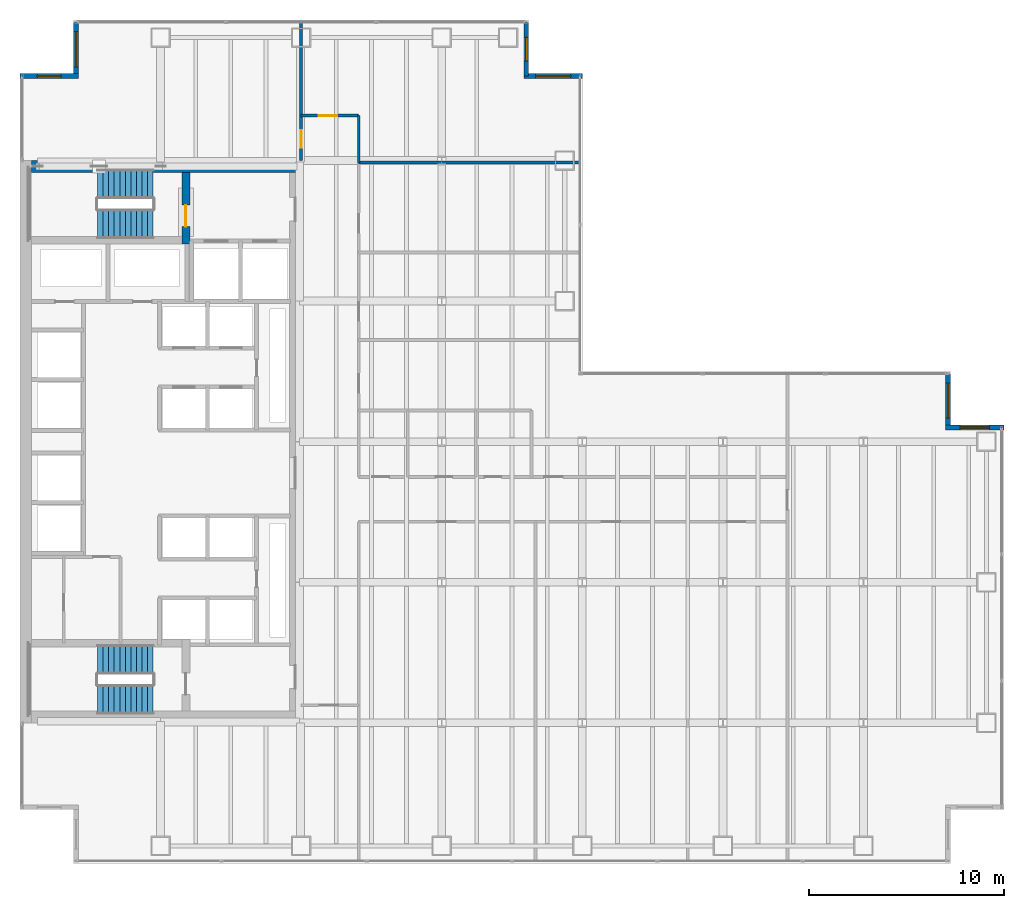
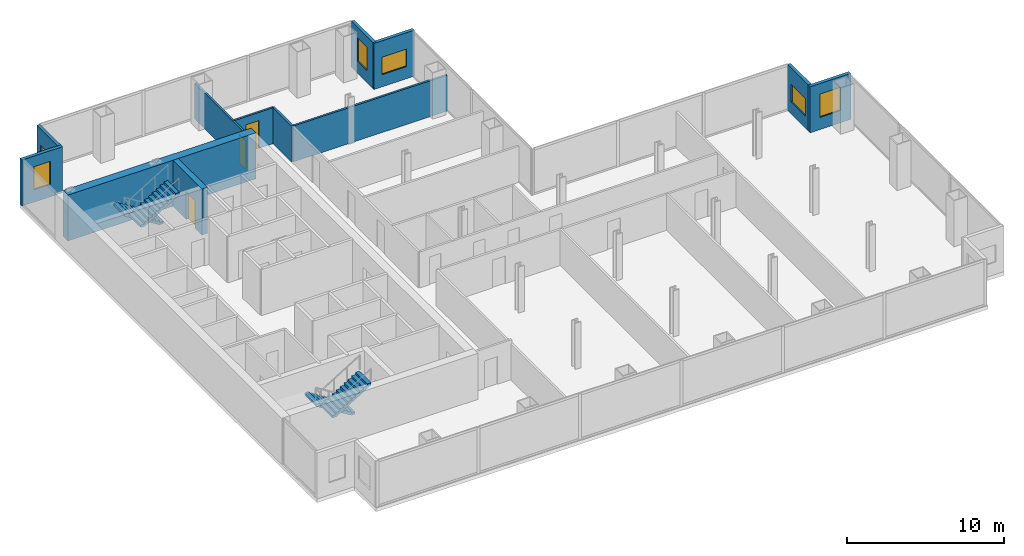
# One storey, part 22 of 23: 12 walls, 6 windows, 4 stair flights, 3 doors, 9 openings, 2 elements without a shape of their own.
"""IFC4 building model written with IfcOpenShell, lengths in metres."""

from ifc_helpers import new_model, si_unit, direction, frame, frame_2d, origin, place, context, subcontext, project, spatial, polyline, rectangle, outline, extrude, material, layer, layer_set, type_object, element, fill, aggregate, save


model = new_model("IFC4")

# Units and contexts
model_context = context("Model", 3, precision=1e-05, world=origin(), true_north=direction((0.0, 1.0)))
body_context = subcontext(model_context, "Body", "Model", "MODEL_VIEW")
ifc_project = project(units=[si_unit("LENGTHUNIT", "METRE"), si_unit("AREAUNIT", "SQUARE_METRE"), si_unit("VOLUMEUNIT", "CUBIC_METRE"), si_unit("PLANEANGLEUNIT", "RADIAN"), si_unit("MASSUNIT", "GRAM", prefix="KILO")], contexts=[model_context])

# Site, building, storey
site_placement = place(None, origin())
site = spatial("IfcSite", under=ifc_project, at=site_placement, CompositionType="ELEMENT")
building_placement = place(site_placement, origin())
building = spatial("IfcBuilding", under=site, at=building_placement, Name="Cobrela Telecom Tower", CompositionType="ELEMENT")
storey_placement = place(building_placement, frame((0.0, 0.0, 73.5)))
storey = spatial("IfcBuildingStorey", under=building, at=storey_placement, Name="L18", CompositionType="ELEMENT", Elevation=73.5)

# Wall
ifc_material_1 = material(Name="Concrete C50/60", Category="concrete")
ifc_layer_1 = layer(ifc_material_1, 0.60009765625)
ifc_layer_set_1 = layer_set([ifc_layer_1], Name="Concrete C50/60")
wall_type_1 = type_object("IfcWallType", Name="WALL-CORE-C50-600", PredefinedType="SHEAR", material=ifc_layer_set_1)
wall_1_placement = place(storey_placement, frame((0.60009765625, 35.699951171875, 0.0), z_axis=(0.0, 0.0, 1.0), x_axis=(1.0, 0.0, 0.0)))
element("IfcWall", 1, at=wall_1_placement, inside=storey, type_object=wall_type_1, Name="L18 North Core Shear Wall", PredefinedType="SHEAR", context=body_context, shape_type="SweptSolid", body=[
    extrude(rectangle(XDim=13.7998046875, YDim=0.60009765625, at=frame_2d((6.89990234375, 0.0))), origin(), (0.0, 0.0, 1.0), 3.570068359375),
])

# Wall, opening, window
ifc_material_2 = material(Name="Concrete C40/50", Category="concrete")
ifc_layer_2 = layer(ifc_material_2, 0.239990234375)
ifc_layer_set_2 = layer_set([ifc_layer_2], Name="Concrete C40/50")
wall_type_2 = type_object("IfcWallType", Name="WALL-EXT-300", PredefinedType="STANDARD", material=ifc_layer_set_2)
wall_2_placement = place(storey_placement, frame((0.0, 40.330078125, 0.0), z_axis=(0.0, 0.0, 1.0), x_axis=(1.0, 0.0, 0.0)))
wall_2 = element("IfcWall", 2, at=wall_2_placement, inside=storey, type_object=wall_type_2, Name="L18 Insulated Facade Wall 05", PredefinedType="STANDARD", context=body_context, shape_type="SweptSolid", body=[
    extrude(rectangle(XDim=2.989990234375, YDim=0.239990234375, at=frame_2d((1.4951171875, 0.0))), origin(), (0.0, 0.0, 1.0), 3.570068359375),
])
opening_1_placement = place(wall_2_placement, frame((0.89501953125, 0.0, 0.949951171875)))
opening_1 = element("IfcOpeningElement", 3, at=opening_1_placement, cuts=wall_2, Name="Opening WN-19", PredefinedType="OPENING", context=body_context, shape_type="SweptSolid", body=[
    extrude(rectangle(XDim=1.199951171875, YDim=1.800048828125, at=frame_2d((0.60009765625, 0.89990234375))), frame((0.0, 0.1318359375, 0.0), z_axis=(0.0, -1.0, 0.0), x_axis=(1.0, 0.0, 0.0)), (0.0, 0.0, 1.0), 0.263916015625),
])
ifc_material_3 = material(Name="Solar-Control Bronze Low-E Glass", Category="glass")
window_type_1 = type_object("IfcWindowType", Name="WIN-MOD-1200", PartitioningType="SINGLE_PANEL", PredefinedType="WINDOW", material=ifc_material_3)
window_1_placement = place(opening_1_placement, origin())
window_1 = element("IfcWindow", 4, at=window_1_placement, inside=storey, type_object=window_type_1, Name="L18 Corner Notch Facade Window 082", OverallHeight=1.800048828125, OverallWidth=1.199951171875, PartitioningType="SINGLE_PANEL", PredefinedType="WINDOW", context=body_context, shape_type="SweptSolid", body=[
    extrude(rectangle(XDim=1.199951171875, YDim=1.800048828125, at=frame_2d((0.60009765625, 0.89990234375))), frame((0.0, 0.030029296875, 0.0), z_axis=(0.0, -1.0, 0.0), x_axis=(1.0, 0.0, 0.0)), (0.0, 0.0, 1.0), 0.06005859375),
])
fill(opening_1, window_1)

wall_3_placement = place(storey_placement, frame((2.8701171875, 40.330078125, 0.0), z_axis=(0.0, 0.0, 1.0), x_axis=(0.0, 1.0, 0.0)))
wall_3 = element("IfcWall", 5, at=wall_3_placement, inside=storey, type_object=wall_type_2, Name="L18 Insulated Facade Wall 06", PredefinedType="STANDARD", context=body_context, shape_type="SweptSolid", body=[
    extrude(rectangle(XDim=2.75, YDim=0.239990234375, at=frame_2d((1.375, 0.0))), origin(), (0.0, 0.0, 1.0), 3.570068359375),
])
opening_2_placement = place(wall_3_placement, frame((0.47509765625, 0.0, 0.949951171875)))
opening_2 = element("IfcOpeningElement", 6, at=opening_2_placement, cuts=wall_3, Name="Opening WN-27", PredefinedType="OPENING", context=body_context, shape_type="SweptSolid", body=[
    extrude(rectangle(XDim=1.800048828125, YDim=1.35009765625, at=frame_2d((0.89990234375, 0.675048828125))), frame((0.0, 0.1318359375, 0.0), z_axis=(0.0, -1.0, 0.0), x_axis=(1.0, 0.0, 0.0)), (0.0, 0.0, 1.0), 0.263916015625),
])
window_type_2 = type_object("IfcWindowType", Name="WIN-CLER-1800", PartitioningType="SINGLE_PANEL", PredefinedType="WINDOW", material=ifc_material_3)
window_2_placement = place(opening_2_placement, origin())
window_2 = element("IfcWindow", 7, at=window_2_placement, inside=storey, type_object=window_type_2, Name="L18 Corner Notch Facade Window 083", OverallHeight=1.35009765625, OverallWidth=1.800048828125, PartitioningType="SINGLE_PANEL", PredefinedType="WINDOW", context=body_context, shape_type="SweptSolid", body=[
    extrude(rectangle(XDim=1.800048828125, YDim=1.35009765625, at=frame_2d((0.89990234375, 0.675048828125))), frame((0.0, 0.030029296875, 0.0), z_axis=(0.0, -1.0, 0.0), x_axis=(1.0, 0.0, 0.0)), (0.0, 0.0, 1.0), 0.06005859375),
])
fill(opening_2, window_2)

wall_4_placement = place(storey_placement, frame((25.929931640625, 43.080078125, 0.0), z_axis=(0.0, 0.0, 1.0), x_axis=(0.0, -1.0, 0.0)))
wall_4 = element("IfcWall", 8, at=wall_4_placement, inside=storey, type_object=wall_type_2, Name="L18 Insulated Facade Wall 08", PredefinedType="STANDARD", context=body_context, shape_type="SweptSolid", body=[
    extrude(rectangle(XDim=2.75, YDim=0.239990234375, at=frame_2d((1.375, 0.0))), origin(), (0.0, 0.0, 1.0), 3.570068359375),
])
opening_3_placement = place(wall_4_placement, frame((0.77490234375, 0.0, 0.949951171875)))
opening_3 = element("IfcOpeningElement", 9, at=opening_3_placement, cuts=wall_4, Name="Opening WN-19", PredefinedType="OPENING", context=body_context, shape_type="SweptSolid", body=[
    extrude(rectangle(XDim=1.199951171875, YDim=1.800048828125, at=frame_2d((0.60009765625, 0.89990234375))), frame((0.0, 0.1318359375, 0.0), z_axis=(0.0, -1.0, 0.0), x_axis=(1.0, 0.0, 0.0)), (0.0, 0.0, 1.0), 0.263916015625),
])
window_3_placement = place(opening_3_placement, origin())
window_3 = element("IfcWindow", 10, at=window_3_placement, inside=storey, type_object=window_type_1, Name="L18 Corner Notch Facade Window 084", OverallHeight=1.800048828125, OverallWidth=1.199951171875, PartitioningType="SINGLE_PANEL", PredefinedType="WINDOW", context=body_context, shape_type="SweptSolid", body=[
    extrude(rectangle(XDim=1.199951171875, YDim=1.800048828125, at=frame_2d((0.60009765625, 0.89990234375))), frame((0.0, 0.030029296875, 0.0), z_axis=(0.0, -1.0, 0.0), x_axis=(1.0, 0.0, 0.0)), (0.0, 0.0, 1.0), 0.06005859375),
])
fill(opening_3, window_3)

wall_5_placement = place(storey_placement, frame((25.81005859375, 40.330078125, 0.0), z_axis=(0.0, 0.0, 1.0), x_axis=(1.0, 0.0, 0.0)))
wall_5 = element("IfcWall", 11, at=wall_5_placement, inside=storey, type_object=wall_type_2, Name="L18 Insulated Facade Wall 09", PredefinedType="STANDARD", context=body_context, shape_type="SweptSolid", body=[
    extrude(rectangle(XDim=2.989990234375, YDim=0.239990234375, at=frame_2d((1.4951171875, 0.0))), origin(), (0.0, 0.0, 1.0), 3.570068359375),
])
opening_4_placement = place(wall_5_placement, frame((0.594970703125, 0.0, 0.949951171875)))
opening_4 = element("IfcOpeningElement", 12, at=opening_4_placement, cuts=wall_5, Name="Opening WN-27", PredefinedType="OPENING", context=body_context, shape_type="SweptSolid", body=[
    extrude(rectangle(XDim=1.800048828125, YDim=1.35009765625, at=frame_2d((0.89990234375, 0.675048828125))), frame((0.0, 0.1318359375, 0.0), z_axis=(0.0, -1.0, 0.0), x_axis=(1.0, 0.0, 0.0)), (0.0, 0.0, 1.0), 0.263916015625),
])
window_4_placement = place(opening_4_placement, origin())
window_4 = element("IfcWindow", 13, at=window_4_placement, inside=storey, type_object=window_type_2, Name="L18 Corner Notch Facade Window 085", OverallHeight=1.35009765625, OverallWidth=1.800048828125, PartitioningType="SINGLE_PANEL", PredefinedType="WINDOW", context=body_context, shape_type="SweptSolid", body=[
    extrude(rectangle(XDim=1.800048828125, YDim=1.35009765625, at=frame_2d((0.89990234375, 0.675048828125))), frame((0.0, 0.030029296875, 0.0), z_axis=(0.0, -1.0, 0.0), x_axis=(1.0, 0.0, 0.0)), (0.0, 0.0, 1.0), 0.06005859375),
])
fill(opening_4, window_4)

wall_6_placement = place(storey_placement, frame((47.530029296875, 25.080078125, 0.0), z_axis=(0.0, 0.0, 1.0), x_axis=(0.0, -1.0, 0.0)))
wall_6 = element("IfcWall", 14, at=wall_6_placement, inside=storey, type_object=wall_type_2, Name="L18 Insulated Facade Wall 12", PredefinedType="STANDARD", context=body_context, shape_type="SweptSolid", body=[
    extrude(rectangle(XDim=2.75, YDim=0.239990234375, at=frame_2d((1.375, 0.0))), origin(), (0.0, 0.0, 1.0), 3.570068359375),
])
opening_5_placement = place(wall_6_placement, frame((0.47509765625, 0.0, 0.949951171875)))
opening_5 = element("IfcOpeningElement", 15, at=opening_5_placement, cuts=wall_6, Name="Opening WN-27", PredefinedType="OPENING", context=body_context, shape_type="SweptSolid", body=[
    extrude(rectangle(XDim=1.800048828125, YDim=1.35009765625, at=frame_2d((0.89990234375, 0.675048828125))), frame((0.0, 0.1318359375, 0.0), z_axis=(0.0, -1.0, 0.0), x_axis=(1.0, 0.0, 0.0)), (0.0, 0.0, 1.0), 0.263916015625),
])
window_5_placement = place(opening_5_placement, origin())
window_5 = element("IfcWindow", 16, at=window_5_placement, inside=storey, type_object=window_type_2, Name="L18 Corner Notch Facade Window 086", OverallHeight=1.35009765625, OverallWidth=1.800048828125, PartitioningType="SINGLE_PANEL", PredefinedType="WINDOW", context=body_context, shape_type="SweptSolid", body=[
    extrude(rectangle(XDim=1.800048828125, YDim=1.35009765625, at=frame_2d((0.89990234375, 0.675048828125))), frame((0.0, 0.030029296875, 0.0), z_axis=(0.0, -1.0, 0.0), x_axis=(1.0, 0.0, 0.0)), (0.0, 0.0, 1.0), 0.06005859375),
])
fill(opening_5, window_5)

wall_7_placement = place(storey_placement, frame((47.409912109375, 22.330078125, 0.0), z_axis=(0.0, 0.0, 1.0), x_axis=(1.0, 0.0, 0.0)))
wall_7 = element("IfcWall", 17, at=wall_7_placement, inside=storey, type_object=wall_type_2, Name="L18 Insulated Facade Wall 13", PredefinedType="STANDARD", context=body_context, shape_type="SweptSolid", body=[
    extrude(rectangle(XDim=2.989990234375, YDim=0.239990234375, at=frame_2d((1.4951171875, 0.0))), origin(), (0.0, 0.0, 1.0), 3.570068359375),
])
opening_6_placement = place(wall_7_placement, frame((0.7451171875, 0.0, 0.949951171875)))
opening_6 = element("IfcOpeningElement", 18, at=opening_6_placement, cuts=wall_7, Name="Opening WN-45", PredefinedType="OPENING", context=body_context, shape_type="SweptSolid", body=[
    extrude(rectangle(XDim=1.5, YDim=1.800048828125, at=frame_2d((0.75, 0.89990234375))), frame((0.0, 0.1318359375, 0.0), z_axis=(0.0, -1.0, 0.0), x_axis=(1.0, 0.0, 0.0)), (0.0, 0.0, 1.0), 0.263916015625),
])
window_type_3 = type_object("IfcWindowType", Name="WIN-MOD-1500", PartitioningType="SINGLE_PANEL", PredefinedType="WINDOW", material=ifc_material_3)
window_6_placement = place(opening_6_placement, origin())
window_6 = element("IfcWindow", 19, at=window_6_placement, inside=storey, type_object=window_type_3, Name="L18 Corner Notch Facade Window 087", OverallHeight=1.800048828125, OverallWidth=1.5, PartitioningType="SINGLE_PANEL", PredefinedType="WINDOW", context=body_context, shape_type="SweptSolid", body=[
    extrude(rectangle(XDim=1.5, YDim=1.800048828125, at=frame_2d((0.75, 0.89990234375))), frame((0.0, 0.030029296875, 0.0), z_axis=(0.0, -1.0, 0.0), x_axis=(1.0, 0.0, 0.0)), (0.0, 0.0, 1.0), 0.06005859375),
])
fill(opening_6, window_6)

# Wall, opening, door
ifc_material_4 = material(Name="Fire-Rated Gypsum Plasterboard")
ifc_layer_3 = layer(ifc_material_4, 0.14990234375)
ifc_layer_set_3 = layer_set([ifc_layer_3], Name="Fire-Rated Gypsum Plasterboard")
wall_type_3 = type_object("IfcWallType", Name="WALL-PART-150", PredefinedType="PARTITIONING", material=ifc_layer_set_3)
wall_8_placement = place(storey_placement, frame((14.39990234375, 36.0, 0.0), z_axis=(0.0, 0.0, 1.0), x_axis=(0.0, 1.0, 0.0)))
wall_8 = element("IfcWall", 20, at=wall_8_placement, inside=storey, type_object=wall_type_3, Name="L18 Interior Partition W-CN-W", PredefinedType="PARTITIONING", context=body_context, shape_type="SweptSolid", body=[
    extrude(rectangle(XDim=7.080078125, YDim=0.14990234375, at=frame_2d((3.5400390625, 0.0))), origin(), (0.0, 0.0, 1.0), 2.782958984375),
])
opening_7_placement = place(wall_8_placement, frame((0.64990234375, 0.0, 0.0)))
opening_7 = element("IfcOpeningElement", 21, at=opening_7_placement, cuts=wall_8, Name="Opening DR-41", PredefinedType="OPENING", context=body_context, shape_type="SweptSolid", body=[
    extrude(rectangle(XDim=0.89990234375, YDim=2.14990234375, at=frame_2d((0.449951171875, 1.074951171875))), frame((0.0, 0.0869140625, 0.0), z_axis=(0.0, -1.0, 0.0), x_axis=(1.0, 0.0, 0.0)), (0.0, 0.0, 1.0), 0.173828125),
])
ifc_material_5 = material(Name="Solid Engineered Oak Timber", Category="wood")
door_type_1 = type_object("IfcDoorType", Name="DOOR-INT-900", OperationType="SINGLE_SWING_LEFT", PredefinedType="DOOR", material=ifc_material_5)
door_1_placement = place(opening_7_placement, origin())
door_1 = element("IfcDoor", 22, at=door_1_placement, inside=storey, type_object=door_type_1, Name="L18 Door DR-41", OperationType="SINGLE_SWING_LEFT", OverallHeight=2.14990234375, OverallWidth=0.89990234375, PredefinedType="DOOR", context=body_context, shape_type="SweptSolid", body=[
    extrude(rectangle(XDim=0.89990234375, YDim=2.14990234375, at=frame_2d((0.449951171875, 1.074951171875))), frame((0.0, 0.02490234375, 0.0), z_axis=(0.0, -1.0, 0.0), x_axis=(1.0, 0.0, 0.0)), (0.0, 0.0, 1.0), 0.050048828125),
])
fill(opening_7, door_1)

# Wall
wall_9_placement = place(storey_placement, frame((17.35009765625, 35.89990234375, 0.0), z_axis=(0.0, 0.0, 1.0), x_axis=(0.0, 1.0, 0.0)))
element("IfcWall", 23, at=wall_9_placement, inside=storey, type_object=wall_type_3, Name="L18 Interior Partition W-CN-E", PredefinedType="PARTITIONING", context=body_context, shape_type="SweptSolid", body=[
    extrude(rectangle(XDim=2.400146484375, YDim=0.14990234375, at=frame_2d((1.2001953125, 0.0))), origin(), (0.0, 0.0, 1.0), 2.782958984375),
])

# Wall, opening, door
wall_10_placement = place(storey_placement, frame((14.39990234375, 38.300048828125, 0.0), z_axis=(0.0, 0.0, 1.0), x_axis=(1.0, 0.0, 0.0)))
wall_10 = element("IfcWall", 24, at=wall_10_placement, inside=storey, type_object=wall_type_3, Name="L18 Interior Partition W-CN-T", PredefinedType="PARTITIONING", context=body_context, shape_type="SweptSolid", body=[
    extrude(rectangle(XDim=2.9501953125, YDim=0.14990234375, at=frame_2d((1.47509765625, 0.0))), origin(), (0.0, 0.0, 1.0), 2.782958984375),
])
opening_8_placement = place(wall_10_placement, frame((0.89990234375, 0.0, 0.0)))
opening_8 = element("IfcOpeningElement", 25, at=opening_8_placement, cuts=wall_10, Name="Opening DR-67", PredefinedType="OPENING", context=body_context, shape_type="SweptSolid", body=[
    extrude(rectangle(XDim=0.949951171875, YDim=2.14990234375, at=frame_2d((0.47509765625, 1.074951171875))), frame((0.0, 0.0869140625, 0.0), z_axis=(0.0, -1.0, 0.0), x_axis=(1.0, 0.0, 0.0)), (0.0, 0.0, 1.0), 0.173828125),
])
door_type_2 = type_object("IfcDoorType", Name="DOOR-INT-950", OperationType="SINGLE_SWING_LEFT", PredefinedType="DOOR", material=ifc_material_5)
door_2_placement = place(opening_8_placement, origin())
door_2 = element("IfcDoor", 26, at=door_2_placement, inside=storey, type_object=door_type_2, Name="L18 Door DR-67", OperationType="SINGLE_SWING_RIGHT", OverallHeight=2.14990234375, OverallWidth=0.949951171875, PredefinedType="DOOR", context=body_context, shape_type="SweptSolid", body=[
    extrude(rectangle(XDim=0.949951171875, YDim=2.14990234375, at=frame_2d((0.47509765625, 1.074951171875))), frame((0.0, 0.02490234375, 0.0), z_axis=(0.0, -1.0, 0.0), x_axis=(1.0, 0.0, 0.0)), (0.0, 0.0, 1.0), 0.050048828125),
])
fill(opening_8, door_2)

# Wall
wall_11_placement = place(storey_placement, frame((17.35009765625, 35.89990234375, 0.0), z_axis=(0.0, 0.0, 1.0), x_axis=(1.0, 0.0, 0.0)))
element("IfcWall", 27, at=wall_11_placement, inside=storey, type_object=wall_type_3, Name="L18 Interior Partition W-NW2-S", PredefinedType="PARTITIONING", context=body_context, shape_type="SweptSolid", body=[
    extrude(rectangle(XDim=11.329833984375, YDim=0.14990234375, at=frame_2d((5.6650390625, 0.0))), origin(), (0.0, 0.0, 1.0), 2.782958984375),
])

# Wall, opening, door
ifc_layer_4 = layer(ifc_material_2, 0.39990234375)
ifc_layer_set_4 = layer_set([ifc_layer_4], Name="Concrete C40/50")
wall_type_4 = type_object("IfcWallType", Name="WALL-SHAFT-C40-400", PredefinedType="SHEAR", material=ifc_layer_set_4)
wall_12_placement = place(storey_placement, frame((8.5, 31.719970703125, 0.0), z_axis=(0.0, 0.0, 1.0), x_axis=(0.0, 1.0, 0.0)))
wall_12 = element("IfcWall", 28, at=wall_12_placement, inside=storey, type_object=wall_type_4, Name="L18 North Stair Lobby Shear Wall", PredefinedType="SHEAR", context=body_context, shape_type="SweptSolid", body=[
    extrude(rectangle(XDim=3.679931640625, YDim=0.39990234375, at=frame_2d((1.83984375, 0.0))), origin(), (0.0, 0.0, 1.0), 3.570068359375),
])
opening_9_placement = place(wall_12_placement, frame((0.89990234375, 0.0, 0.0)))
opening_9 = element("IfcOpeningElement", 29, at=opening_9_placement, cuts=wall_12, Name="Opening DR-59", PredefinedType="OPENING", context=body_context, shape_type="SweptSolid", body=[
    extrude(rectangle(XDim=1.10009765625, YDim=2.14990234375, at=frame_2d((0.550048828125, 1.074951171875))), frame((0.0, 0.2119140625, 0.0), z_axis=(0.0, -1.0, 0.0), x_axis=(1.0, 0.0, 0.0)), (0.0, 0.0, 1.0), 0.423828125),
])
ifc_material_6 = material(Name="Steel ASTM A36", Category="steel")
door_type_3 = type_object("IfcDoorType", Name="DOOR-FD60-1100", OperationType="SINGLE_SWING_LEFT", PredefinedType="DOOR", material=ifc_material_6)
door_3_placement = place(opening_9_placement, origin())
door_3 = element("IfcDoor", 30, at=door_3_placement, inside=storey, type_object=door_type_3, Name="L18 Door DR-59", OperationType="SINGLE_SWING_RIGHT", OverallHeight=2.14990234375, OverallWidth=1.10009765625, PredefinedType="DOOR", context=body_context, shape_type="SweptSolid", body=[
    extrude(rectangle(XDim=1.10009765625, YDim=2.14990234375, at=frame_2d((0.550048828125, 1.074951171875))), frame((0.0, 0.02490234375, 0.0), z_axis=(0.0, -1.0, 0.0), x_axis=(1.0, 0.0, 0.0)), (0.0, 0.0, 1.0), 0.050048828125),
])
fill(opening_9, door_3)

# Stair, stair flights
stair_type = type_object("IfcStairType", Name="STAIR-CORE", PredefinedType="HALF_TURN_STAIR", material=ifc_material_2)
stair_1_placement = place(storey_placement, origin())
stair_1 = element("IfcStair", 31, at=stair_1_placement, inside=storey, type_object=stair_type, Name="L18 Smokeproof Exit Stair ST1", PredefinedType="HALF_TURN_STAIR")
stair_flight_type = type_object("IfcStairFlightType", Name="FLIGHT-CORE", PredefinedType="STRAIGHT", material=ifc_material_2)
stair_flight_1_placement = place(storey_placement, frame((6.820068359375, 34.800048828125, 0.0), z_axis=(0.0, 0.0, 1.0), x_axis=(-1.0, 0.0, 0.0)))
stair_flight_1 = element("IfcStairFlight", 32, at=stair_flight_1_placement, type_object=stair_flight_type, Name="ST1 flight 1", NumberOfRisers=11, NumberOfTreads=10, PredefinedType="STRAIGHT", RiserHeight=0.175, TreadLength=0.285, context=body_context, shape_type="SweptSolid", body=[
    extrude(outline(polyline([(0.0, 0.0), (0.0, 0.175048828125), (0.284912109375, 0.175048828125), (0.284912109375, 0.35009765625), (0.570068359375, 0.35009765625), (0.570068359375, 0.52490234375), (0.85498046875, 0.52490234375), (0.85498046875, 0.699951171875), (1.139892578125, 0.699951171875), (1.139892578125, 0.875), (1.425048828125, 0.875), (1.425048828125, 1.050048828125), (1.7099609375, 1.050048828125), (1.7099609375, 1.22509765625), (1.9951171875, 1.22509765625), (1.9951171875, 1.39990234375), (2.280029296875, 1.39990234375), (2.280029296875, 1.574951171875), (2.56494140625, 1.574951171875), (2.56494140625, 1.75), (2.85009765625, 1.75), (2.85009765625, 1.925048828125), (2.85009765625, 1.573974609375), (0.286376953125, 0.0), (0.0, 0.0)])), frame((0.0, 0.75, 0.0), z_axis=(0.0, -1.0, 0.0), x_axis=(1.0, 0.0, 0.0)), (0.0, 0.0, 1.0), 1.5),
])
stair_flight_2_placement = place(storey_placement, frame((3.969970703125, 32.75, 1.925048828125), z_axis=(0.0, 0.0, 1.0), x_axis=(1.0, 0.0, 0.0)))
stair_flight_2 = element("IfcStairFlight", 33, at=stair_flight_2_placement, type_object=stair_flight_type, Name="ST1 flight 2", NumberOfRisers=11, NumberOfTreads=10, PredefinedType="STRAIGHT", RiserHeight=0.175, TreadLength=0.285, context=body_context, shape_type="SweptSolid", body=[
    extrude(outline(polyline([(0.0, 0.0), (0.0, 0.175048828125), (0.284912109375, 0.175048828125), (0.284912109375, 0.35009765625), (0.570068359375, 0.35009765625), (0.570068359375, 0.52490234375), (0.85498046875, 0.52490234375), (0.85498046875, 0.699951171875), (1.139892578125, 0.699951171875), (1.139892578125, 0.875), (1.425048828125, 0.875), (1.425048828125, 1.050048828125), (1.7099609375, 1.050048828125), (1.7099609375, 1.22509765625), (1.9951171875, 1.22509765625), (1.9951171875, 1.39990234375), (2.280029296875, 1.39990234375), (2.280029296875, 1.574951171875), (2.56494140625, 1.574951171875), (2.56494140625, 1.75), (2.85009765625, 1.75), (2.85009765625, 1.925048828125), (2.85009765625, 1.573974609375), (0.286376953125, 0.0), (0.0, 0.0)])), frame((0.0, 0.75, 0.0), z_axis=(0.0, -1.0, 0.0), x_axis=(1.0, 0.0, 0.0)), (0.0, 0.0, 1.0), 1.5),
])
aggregate(stair_1, [stair_flight_1, stair_flight_2])

stair_2_placement = place(storey_placement, origin())
stair_2 = element("IfcStair", 34, at=stair_2_placement, inside=storey, type_object=stair_type, Name="L18 Smokeproof Exit Stair ST2", PredefinedType="HALF_TURN_STAIR")
stair_flight_3_placement = place(storey_placement, frame((6.820068359375, 10.449951171875, 0.0), z_axis=(0.0, 0.0, 1.0), x_axis=(-1.0, 0.0, 0.0)))
stair_flight_3 = element("IfcStairFlight", 35, at=stair_flight_3_placement, type_object=stair_flight_type, Name="ST2 flight 1", NumberOfRisers=11, NumberOfTreads=10, PredefinedType="STRAIGHT", RiserHeight=0.175, TreadLength=0.285, context=body_context, shape_type="SweptSolid", body=[
    extrude(outline(polyline([(0.0, 0.0), (0.0, 0.175048828125), (0.284912109375, 0.175048828125), (0.284912109375, 0.35009765625), (0.570068359375, 0.35009765625), (0.570068359375, 0.52490234375), (0.85498046875, 0.52490234375), (0.85498046875, 0.699951171875), (1.139892578125, 0.699951171875), (1.139892578125, 0.875), (1.425048828125, 0.875), (1.425048828125, 1.050048828125), (1.7099609375, 1.050048828125), (1.7099609375, 1.22509765625), (1.9951171875, 1.22509765625), (1.9951171875, 1.39990234375), (2.280029296875, 1.39990234375), (2.280029296875, 1.574951171875), (2.56494140625, 1.574951171875), (2.56494140625, 1.75), (2.85009765625, 1.75), (2.85009765625, 1.925048828125), (2.85009765625, 1.573974609375), (0.286376953125, 0.0), (0.0, 0.0)])), frame((0.0, 0.75, 0.0), z_axis=(0.0, -1.0, 0.0), x_axis=(1.0, 0.0, 0.0)), (0.0, 0.0, 1.0), 1.5),
])
stair_flight_4_placement = place(storey_placement, frame((3.969970703125, 8.39990234375, 1.925048828125), z_axis=(0.0, 0.0, 1.0), x_axis=(1.0, 0.0, 0.0)))
stair_flight_4 = element("IfcStairFlight", 36, at=stair_flight_4_placement, type_object=stair_flight_type, Name="ST2 flight 2", NumberOfRisers=11, NumberOfTreads=10, PredefinedType="STRAIGHT", RiserHeight=0.175, TreadLength=0.285, context=body_context, shape_type="SweptSolid", body=[
    extrude(outline(polyline([(0.0, 0.0), (0.0, 0.175048828125), (0.284912109375, 0.175048828125), (0.284912109375, 0.35009765625), (0.570068359375, 0.35009765625), (0.570068359375, 0.52490234375), (0.85498046875, 0.52490234375), (0.85498046875, 0.699951171875), (1.139892578125, 0.699951171875), (1.139892578125, 0.875), (1.425048828125, 0.875), (1.425048828125, 1.050048828125), (1.7099609375, 1.050048828125), (1.7099609375, 1.22509765625), (1.9951171875, 1.22509765625), (1.9951171875, 1.39990234375), (2.280029296875, 1.39990234375), (2.280029296875, 1.574951171875), (2.56494140625, 1.574951171875), (2.56494140625, 1.75), (2.85009765625, 1.75), (2.85009765625, 1.925048828125), (2.85009765625, 1.573974609375), (0.286376953125, 0.0), (0.0, 0.0)])), frame((0.0, 0.75, 0.0), z_axis=(0.0, -1.0, 0.0), x_axis=(1.0, 0.0, 0.0)), (0.0, 0.0, 1.0), 1.5),
])
aggregate(stair_2, [stair_flight_3, stair_flight_4])

save(model, "model.ifc")
